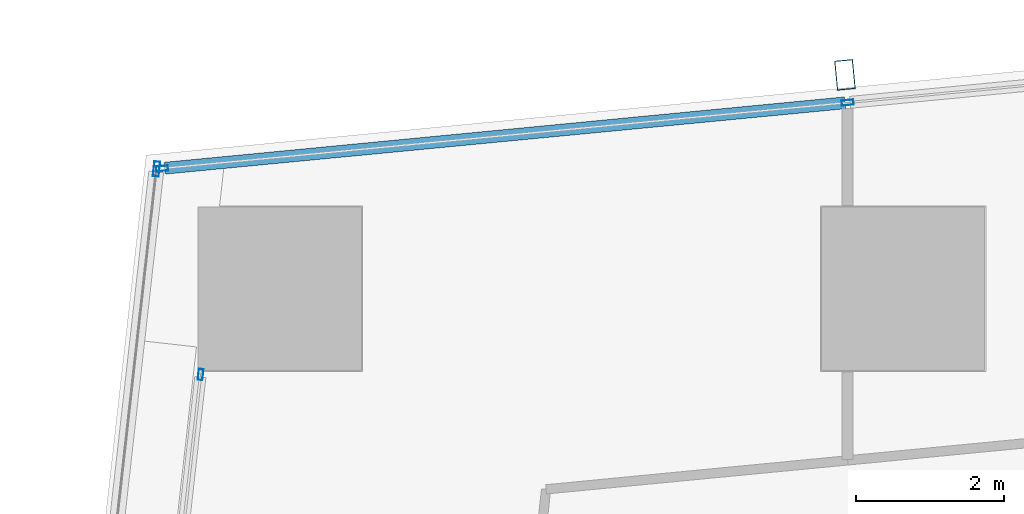
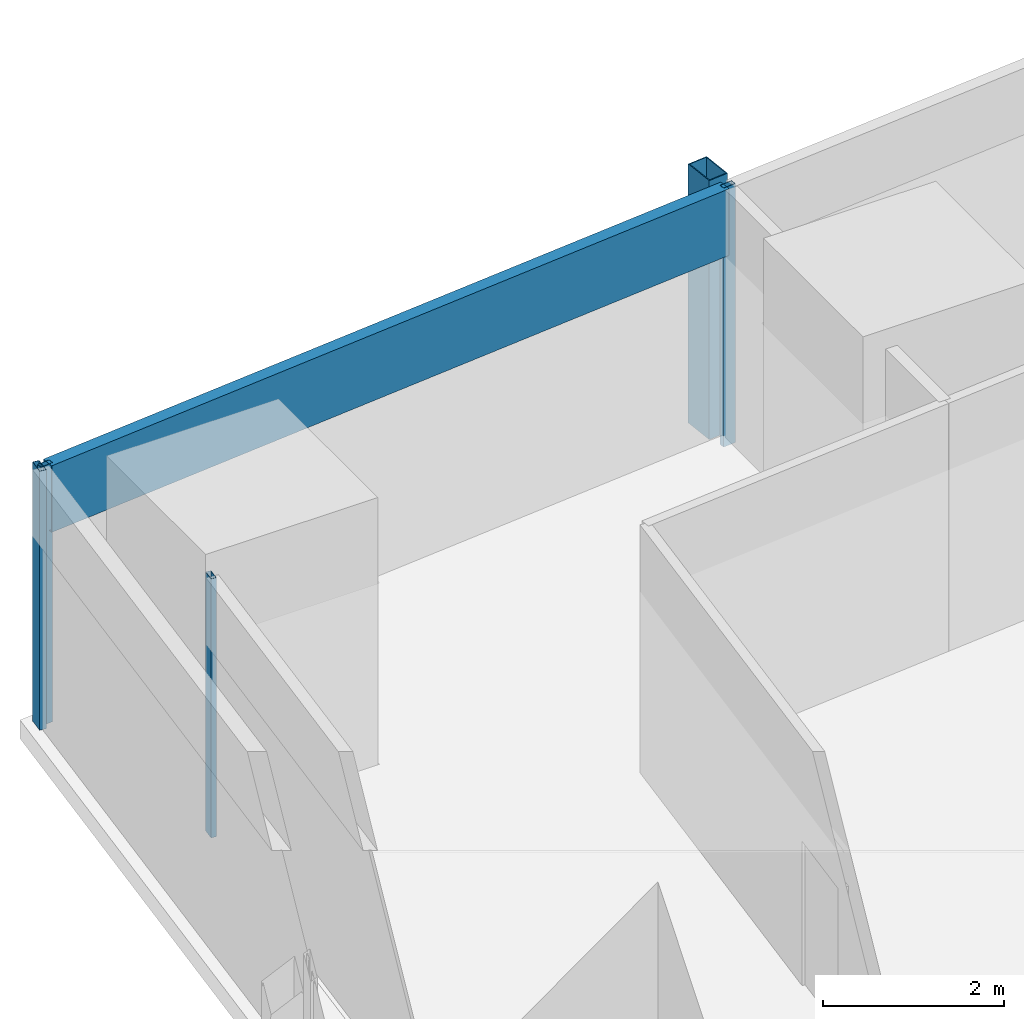
# One storey, part 14 of 42: 6 members, 3 elements without a shape of their own.
"""IFC4 building model written with IfcOpenShell, lengths in metres."""

from ifc_helpers import new_model, si_unit, direction, frame, origin, origin_2d, place, context, subcontext, project, spatial, hollow_rectangle, extrude, material, material_profile, profile_set, type_object, element, aggregate, save


model = new_model("IFC4")

# Units and contexts
model_context = context("Model", 3, precision=1e-05, world=origin(), true_north=direction((0.0, 1.0)))
body_context = subcontext(model_context, "Body", "Model", "MODEL_VIEW")
ifc_project = project(units=[si_unit("LENGTHUNIT", "METRE"), si_unit("AREAUNIT", "SQUARE_METRE"), si_unit("VOLUMEUNIT", "CUBIC_METRE"), si_unit("PLANEANGLEUNIT", "RADIAN"), si_unit("MASSUNIT", "GRAM", prefix="KILO")], contexts=[model_context])

# Site, building, storey
site_placement = place(None, origin())
site = spatial("IfcSite", under=ifc_project, at=site_placement, CompositionType="ELEMENT")
building_placement = place(site_placement, origin())
building = spatial("IfcBuilding", under=site, at=building_placement, Name="Rekha Terrace Tower", CompositionType="ELEMENT")
storey_placement = place(building_placement, frame((0.0, 0.0, 55.39990234375)))
storey = spatial("IfcBuildingStorey", under=building, at=storey_placement, Name="L13", CompositionType="ELEMENT", Elevation=55.39990234375)

# Curtain wall, member
ifc_material_1 = material(Name="Aluminium framing", Category="aluminium")
curtain_wall_type_1 = type_object("IfcCurtainWallType", Name="CW3 north unitised glazing", PredefinedType="USERDEFINED", material=ifc_material_1)
curtain_wall_1_placement = place(storey_placement, origin())
curtain_wall_1 = element("IfcCurtainWall", 1, at=curtain_wall_1_placement, inside=storey, type_object=curtain_wall_type_1, Name="CW3 unitised curtain wall", ObjectType="UNITISED CURTAIN WALL", PredefinedType="USERDEFINED")
ifc_material_2 = material(Name="Steel S355 with fluorocarbon finish", Category="steel")
ifc_material_profile_1 = material_profile(ifc_material_2, hollow_rectangle(XDim=0.25, YDim=0.39990234375, WallThickness=0.012451171875, at=origin_2d()), Name="RHS400x250x12.5")
ifc_profile_set_1 = profile_set([ifc_material_profile_1], Name="Steel S355 with fluorocarbon finish")
member_type_1 = type_object("IfcMemberType", Name="BL1 facade blade RHS 400 x 250", PredefinedType="USERDEFINED", material=ifc_profile_set_1)
member_1_placement = place(storey_placement, frame((16.01708984375, 61.681396484375, 0.0), z_axis=(0.0, 0.0, 1.0), x_axis=(-0.995409070123, -0.095711980009, 0.0)))
member_1 = element("IfcMember", 2, at=member_1_placement, type_object=member_type_1, Name="Facade blade", ObjectType="FACADE BLADE", PredefinedType="USERDEFINED", context=body_context, shape_type="SweptSolid", body=[
    extrude(hollow_rectangle(XDim=0.25, YDim=0.39990234375, WallThickness=0.012451171875, at=origin_2d()), origin(), (0.0, 0.0, 1.0), 3.5),
])

curtain_wall_type_2 = type_object("IfcCurtainWallType", Name="CW1 double skin inner glazing", PredefinedType="USERDEFINED", material=ifc_material_1)
curtain_wall_2_placement = place(storey_placement, origin())
curtain_wall_2 = element("IfcCurtainWall", 3, at=curtain_wall_2_placement, inside=storey, type_object=curtain_wall_type_2, Name="CW1 double skin inner glazing", ObjectType="DOUBLE SKIN INNER GLAZING", PredefinedType="USERDEFINED")
ifc_material_3 = material(Name="Aluminium mullion section", Category="aluminium")
ifc_material_profile_2 = material_profile(ifc_material_3, hollow_rectangle(XDim=0.06494140625, YDim=0.14990234375, WallThickness=0.00390625, at=origin_2d()), Name="AL RHS 65x150")
ifc_profile_set_2 = profile_set([ifc_material_profile_2], Name="Aluminium mullion section")
member_type_2 = type_object("IfcMemberType", Name="CW1 mullion RHS 65 x 150", PredefinedType="MULLION", material=ifc_profile_set_2)
member_2_placement = place(storey_placement, frame((7.334228515625, 57.643310546875, 0.0), z_axis=(0.0, 0.0, 1.0), x_axis=(0.993738615524, -0.111729870748, 0.0)))
member_2 = element("IfcMember", 4, at=member_2_placement, type_object=member_type_2, Name="CW1 mullion 1", PredefinedType="MULLION", context=body_context, shape_type="SweptSolid", body=[
    extrude(hollow_rectangle(XDim=0.06494140625, YDim=0.14990234375, WallThickness=0.00390625, at=origin_2d()), origin(), (0.0, 0.0, 1.0), 3.5),
])
aggregate(curtain_wall_2, [member_2])

curtain_wall_type_3 = type_object("IfcCurtainWallType", Name="CW2 double skin outer glazing", PredefinedType="USERDEFINED", material=ifc_material_1)
curtain_wall_3_placement = place(storey_placement, origin())
curtain_wall_3 = element("IfcCurtainWall", 5, at=curtain_wall_3_placement, inside=storey, type_object=curtain_wall_type_3, Name="CW2 double skin outer glazing", ObjectType="DOUBLE SKIN OUTER GLAZING", PredefinedType="USERDEFINED")
ifc_material_profile_3 = material_profile(ifc_material_3, hollow_rectangle(XDim=0.080078125, YDim=0.199951171875, WallThickness=0.00390625, at=origin_2d()), Name="AL RHS 80x200")
ifc_profile_set_3 = profile_set([ifc_material_profile_3], Name="Aluminium mullion section")
member_type_3 = type_object("IfcMemberType", Name="CW2 mullion RHS 80 x 200", PredefinedType="MULLION", material=ifc_profile_set_3)
member_3_placement = place(storey_placement, frame((6.739990234375, 60.413330078125, 0.0), z_axis=(0.0, 0.0, 1.0), x_axis=(0.99373861552, -0.111729870782, 0.0)))
member_3 = element("IfcMember", 6, at=member_3_placement, type_object=member_type_3, Name="CW2 mullion 1", PredefinedType="MULLION", context=body_context, shape_type="SweptSolid", body=[
    extrude(hollow_rectangle(XDim=0.080078125, YDim=0.199951171875, WallThickness=0.00390625, at=origin_2d()), origin(), (0.0, 0.0, 1.0), 3.5),
])
aggregate(curtain_wall_3, [member_3])

# Member
ifc_material_profile_4 = material_profile(ifc_material_3, hollow_rectangle(XDim=0.070068359375, YDim=0.159912109375, WallThickness=0.00390625, at=origin_2d()), Name="AL RHS 70x160")
ifc_profile_set_4 = profile_set([ifc_material_profile_4], Name="Aluminium mullion section")
member_type_4 = type_object("IfcMemberType", Name="CW3 mullion RHS 70 x 160", PredefinedType="MULLION", material=ifc_profile_set_4)
member_4_placement = place(storey_placement, frame((16.052978515625, 61.30810546875, 0.0), z_axis=(0.0, 0.0, 1.0), x_axis=(0.095712406625, -0.995409029102, 0.0)))
member_4 = element("IfcMember", 7, at=member_4_placement, type_object=member_type_4, Name="CW3 mullion 2", PredefinedType="MULLION", context=body_context, shape_type="SweptSolid", body=[
    extrude(hollow_rectangle(XDim=0.070068359375, YDim=0.159912109375, WallThickness=0.00390625, at=origin_2d()), origin(), (0.0, 0.0, 1.0), 3.5),
])

member_5_placement = place(storey_placement, frame((6.8154296875, 60.419677734375, 0.0), z_axis=(0.0, 0.0, 1.0), x_axis=(0.095712406625, -0.995409029102, 0.0)))
member_5 = element("IfcMember", 8, at=member_5_placement, type_object=member_type_4, Name="CW3 mullion 3", PredefinedType="MULLION", context=body_context, shape_type="SweptSolid", body=[
    extrude(hollow_rectangle(XDim=0.070068359375, YDim=0.159912109375, WallThickness=0.00390625, at=origin_2d()), origin(), (0.0, 0.0, 1.0), 3.5),
])

ifc_material_4 = material(Name="Insulated aluminium spandrel box", Category="aluminium")
ifc_material_profile_5 = material_profile(ifc_material_4, hollow_rectangle(XDim=0.159912109375, YDim=0.89990234375, WallThickness=0.0029296875, at=origin_2d()), Name="AL SPANDREL BOX 160x900")
ifc_profile_set_5 = profile_set([ifc_material_profile_5], Name="Insulated aluminium spandrel box")
member_type_5 = type_object("IfcMemberType", Name="CW3 spandrel transom 160 x 900", PredefinedType="USERDEFINED", material=ifc_profile_set_5)
member_6_placement = place(storey_placement, frame((16.018310546875, 61.3046875, 3.050048828125), z_axis=(-0.995408446287, -0.095718467713, 0.0), x_axis=(0.095718467713, -0.995408446287, 0.0)))
member_6 = element("IfcMember", 9, at=member_6_placement, type_object=member_type_5, Name="CW3 spandrel transom 2", ObjectType="TRANSOM", PredefinedType="USERDEFINED", context=body_context, shape_type="SweptSolid", body=[
    extrude(hollow_rectangle(XDim=0.159912109375, YDim=0.89990234375, WallThickness=0.0029296875, at=origin_2d()), origin(), (0.0, 0.0, 1.0), 9.210205078125),
])

aggregate(curtain_wall_1, [member_4, member_5, member_6, member_1])

save(model, "model.ifc")
